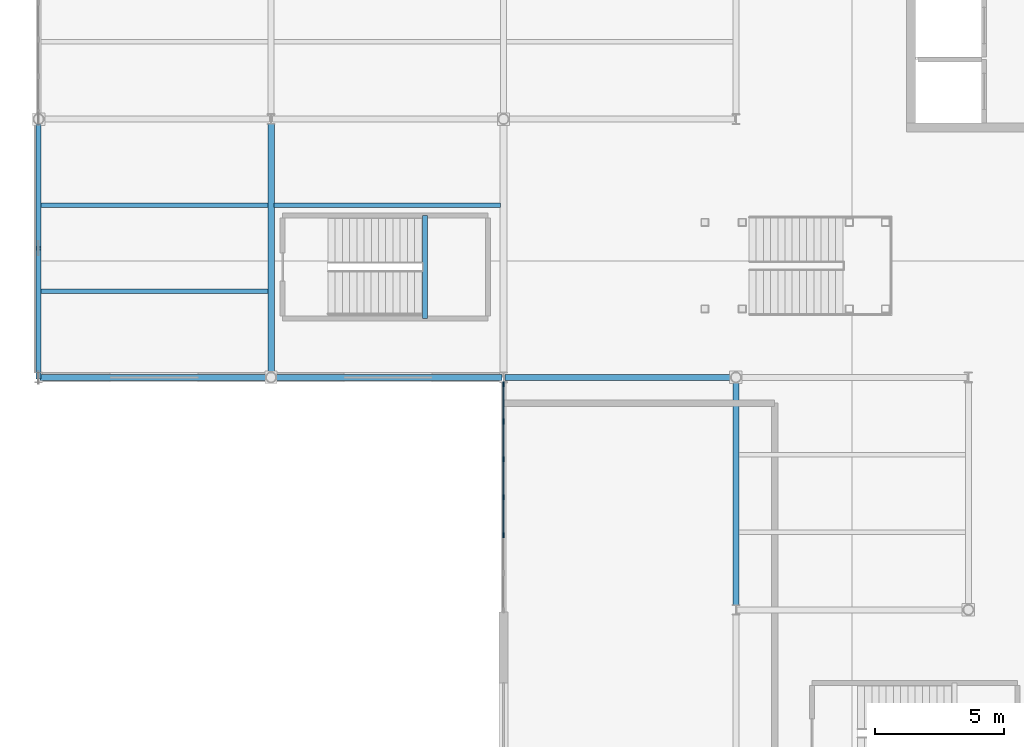
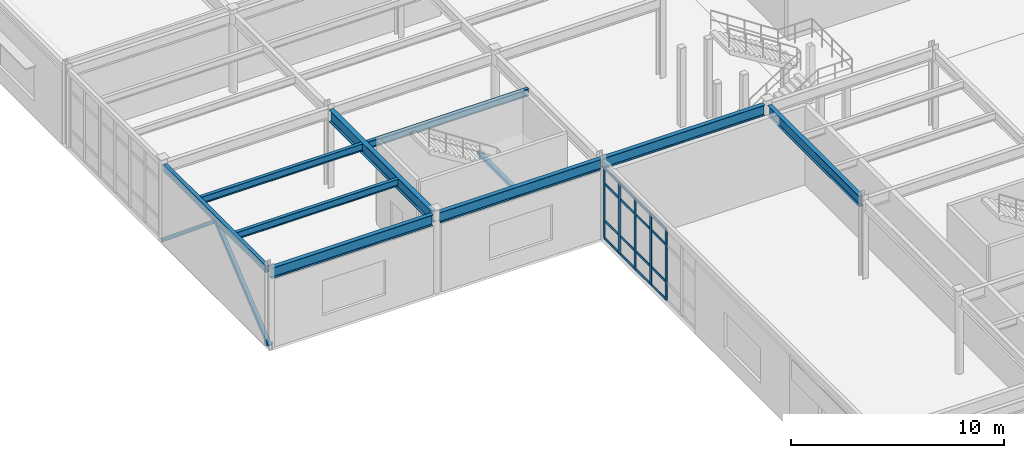
# One storey, part 29 of 84: 23 members, 10 beams, 1 element without a shape of its own.
"""IFC4 building model written with IfcOpenShell, lengths in metres."""

from ifc_helpers import new_model, si_unit, direction, frame, origin, origin_2d, place, context, subcontext, project, spatial, rectangle, hollow_rectangle, i_section, extrude, material, material_profile, profile_set, type_object, element, aggregate, save


model = new_model("IFC4")

# Units and contexts
model_context = context("Model", 3, precision=1e-05, world=origin(), true_north=direction((0.0, 1.0)))
body_context = subcontext(model_context, "Body", "Model", "MODEL_VIEW")
ifc_project = project(units=[si_unit("LENGTHUNIT", "METRE"), si_unit("AREAUNIT", "SQUARE_METRE"), si_unit("VOLUMEUNIT", "CUBIC_METRE"), si_unit("PLANEANGLEUNIT", "RADIAN"), si_unit("MASSUNIT", "GRAM", prefix="KILO")], contexts=[model_context])

# Site, building, storey
site_placement = place(None, origin())
site = spatial("IfcSite", under=ifc_project, at=site_placement, CompositionType="ELEMENT")
building_placement = place(site_placement, origin())
building = spatial("IfcBuilding", under=site, at=building_placement, Name="Glasvene Arena", CompositionType="ELEMENT")
storey_placement = place(building_placement, frame((0.0, 0.0, 10.199951171875)))
storey = spatial("IfcBuildingStorey", under=building, at=storey_placement, Name="L02", CompositionType="ELEMENT", Elevation=10.199951171875)

# Beams
ifc_material_1 = material(Name="Steel S355J2", Category="steel")
ifc_material_profile_1 = material_profile(ifc_material_1, i_section(OverallWidth=0.228271484375, OverallDepth=0.607666015625, WebThickness=0.010986328125, FlangeThickness=0.017333984375, FilletRadius=0.0126953125, at=origin_2d()), Name="UKB 610x229x113")
ifc_profile_set_1 = profile_set([ifc_material_profile_1], Name="Steel S355J2")
beam_type_1 = type_object("IfcBeamType", Name="BM-GIRD-610", PredefinedType="BEAM", material=ifc_profile_set_1)
for number, where, z_axis, x_axis, name in (
    (1, (0.050048828125, 54.0, 4.21630859375), (1.0, 0.0, 0.0), (0.0, 1.0, 0.0), "Primary X girder L02-0807"),
    (2, (9.1982421875, 54.0, 4.21630859375), (1.0, 0.0, 0.0), (0.0, 1.0, 0.0), "Primary X girder L02-0808"),
    (3, (18.050048828125, 54.0, 4.21630859375), (1.0, 0.0, 0.0), (0.0, 1.0, 0.0), "Primary X girder L02-0809"),
):
    element("IfcBeam", number, at=place(storey_placement, frame(where, z_axis=z_axis, x_axis=x_axis)), inside=storey, type_object=beam_type_1, Name=name, PredefinedType="BEAM", context=body_context, shape_type="SweptSolid", body=[
        extrude(i_section(OverallWidth=0.228271484375, OverallDepth=0.607666015625, WebThickness=0.010986328125, FlangeThickness=0.017333984375, FilletRadius=0.0126953125, at=origin_2d()), origin(), (0.0, 0.0, 1.0), 8.751708984375),
    ])
beam_1_placement = place(storey_placement, frame((27.0, 45.195068359375, 4.21630859375), z_axis=(0.0, 1.0, 0.0), x_axis=(-1.0, 0.0, 0.0)))
element("IfcBeam", 4, at=beam_1_placement, inside=storey, type_object=beam_type_1, Name="Primary Y girder L02-0859", PredefinedType="BEAM", context=body_context, shape_type="SweptSolid", body=[
    extrude(i_section(OverallWidth=0.228271484375, OverallDepth=0.607666015625, WebThickness=0.010986328125, FlangeThickness=0.017333984375, FilletRadius=0.0126953125, at=origin_2d()), origin(), (0.0, 0.0, 1.0), 8.606689453125),
])
ifc_material_profile_2 = material_profile(ifc_material_1, i_section(OverallWidth=0.253662109375, OverallDepth=0.68359375, WebThickness=0.012451171875, FlangeThickness=0.01904296875, FilletRadius=0.01513671875, at=origin_2d()), Name="UKB 686x254x140")
ifc_profile_set_2 = profile_set([ifc_material_profile_2], Name="Steel S355J2")
beam_type_2 = type_object("IfcBeamType", Name="BM-GIRD-686", PredefinedType="BEAM", material=ifc_profile_set_2)
beam_2_placement = place(storey_placement, frame((9.0, 54.1982421875, 4.178466796875), z_axis=(0.0, 1.0, 0.0), x_axis=(-1.0, 0.0, 0.0)))
element("IfcBeam", 5, at=beam_2_placement, inside=storey, type_object=beam_type_2, Name="Primary Y girder L02-0842", PredefinedType="BEAM", context=body_context, shape_type="SweptSolid", body=[
    extrude(i_section(OverallWidth=0.253662109375, OverallDepth=0.68359375, WebThickness=0.012451171875, FlangeThickness=0.01904296875, FilletRadius=0.01513671875, at=origin_2d()), origin(), (0.0, 0.0, 1.0), 9.606689453125),
])
ifc_material_profile_3 = material_profile(ifc_material_1, i_section(OverallWidth=0.177978515625, OverallDepth=0.406494140625, WebThickness=0.0078125, FlangeThickness=0.0126953125, FilletRadius=0.01025390625, at=origin_2d()), Name="UKB 406x178x60")
ifc_profile_set_3 = profile_set([ifc_material_profile_3], Name="Steel S355J2")
beam_type_3 = type_object("IfcBeamType", Name="BM-JOIST-406", PredefinedType="JOIST", material=ifc_profile_set_3)
for number, where, z_axis, x_axis, name in (
    (6, (0.095947265625, 57.333251953125, 4.31689453125), (1.0, 0.0, 0.0), (0.0, 1.0, 0.0), "Composite floor joist L02-0887"),
    (7, (0.095947265625, 60.666748046875, 4.31689453125), (1.0, 0.0, 0.0), (0.0, 1.0, 0.0), "Composite floor joist L02-0888"),
):
    element("IfcBeam", number, at=place(storey_placement, frame(where, z_axis=z_axis, x_axis=x_axis)), inside=storey, type_object=beam_type_3, Name=name, PredefinedType="JOIST", context=body_context, shape_type="SweptSolid", body=[
        extrude(i_section(OverallWidth=0.177978515625, OverallDepth=0.406494140625, WebThickness=0.0078125, FlangeThickness=0.0126953125, FilletRadius=0.01025390625, at=origin_2d()), origin(), (0.0, 0.0, 1.0), 8.78125),
    ])
beam_3_placement = place(storey_placement, frame((9.122802734375, 60.666748046875, 4.31689453125), z_axis=(1.0, 0.0, 0.0), x_axis=(0.0, 1.0, 0.0)))
element("IfcBeam", 8, at=beam_3_placement, inside=storey, type_object=beam_type_3, Name="Composite floor joist L02-0897", PredefinedType="JOIST", context=body_context, shape_type="SweptSolid", body=[
    extrude(i_section(OverallWidth=0.177978515625, OverallDepth=0.406494140625, WebThickness=0.0078125, FlangeThickness=0.0126953125, FilletRadius=0.01025390625, at=origin_2d()), origin(), (0.0, 0.0, 1.0), 8.75439453125),
])
ifc_material_profile_4 = material_profile(ifc_material_1, hollow_rectangle(XDim=0.199951171875, YDim=0.199951171875, WallThickness=0.010009765625, at=origin_2d()), Name="SHS 200x200x10.0")
ifc_profile_set_4 = profile_set([ifc_material_profile_4], Name="Steel S355J2")
beam_type_4 = type_object("IfcBeamType", Name="BM-LINTEL-200", PredefinedType="LINTEL", material=ifc_profile_set_4)
beam_4_placement = place(storey_placement, frame((14.9599609375, 56.280029296875, 2.080078125), z_axis=(0.0, 1.0, 0.0), x_axis=(-1.0, 0.0, 0.0)))
element("IfcBeam", 9, at=beam_4_placement, inside=storey, type_object=beam_type_4, Name="Stair half-landing support beam ST-13-L02", PredefinedType="LINTEL", context=body_context, shape_type="SweptSolid", body=[
    extrude(hollow_rectangle(XDim=0.199951171875, YDim=0.199951171875, WallThickness=0.010009765625, at=origin_2d()), origin(), (0.0, 0.0, 1.0), 3.989990234375),
])
ifc_material_profile_5 = material_profile(ifc_material_1, hollow_rectangle(XDim=0.199951171875, YDim=0.39990234375, WallThickness=0.01611328125, at=origin_2d()), Name="RHS 400x200x16.0")
ifc_profile_set_5 = profile_set([ifc_material_profile_5], Name="Steel S355J2")
beam_type_5 = type_object("IfcBeamType", Name="BM-SPAND-400", PredefinedType="SPANDREL", material=ifc_profile_set_5)
beam_5_placement = place(storey_placement, frame((0.0, 54.195068359375, 4.320068359375), z_axis=(0.0, 1.0, 0.0), x_axis=(-1.0, 0.0, 0.0)))
element("IfcBeam", 10, at=beam_5_placement, inside=storey, type_object=beam_type_5, Name="Primary Y girder L02-0832", PredefinedType="SPANDREL", context=body_context, shape_type="SweptSolid", body=[
    extrude(hollow_rectangle(XDim=0.199951171875, YDim=0.39990234375, WallThickness=0.01611328125, at=origin_2d()), origin(), (0.0, 0.0, 1.0), 9.606689453125),
])

# Curtain wall, members
ifc_material_2 = material(Name="Low-emissivity laminated double glazing", Category="glass")
curtain_wall_type = type_object("IfcCurtainWallType", Name="CW-FAC-L02-880x406", PredefinedType="USERDEFINED", material=ifc_material_2)
curtain_wall_placement = place(storey_placement, frame((18.0, 44.9560546875, 0.0)))
curtain_wall = element("IfcCurtainWall", 11, at=curtain_wall_placement, inside=storey, type_object=curtain_wall_type, Name="Unitised curtain wall CW-F-L02-180-180-494-82", ObjectType="CURTAIN WALL", PredefinedType="USERDEFINED")
ifc_material_3 = material(Name="Anodised architectural aluminium", Category="aluminium")
ifc_material_profile_6 = material_profile(ifc_material_3, rectangle(XDim=0.050048828125, YDim=0.199951171875, at=origin_2d()), Name="ALU MULLION 50x200")
ifc_profile_set_6 = profile_set([ifc_material_profile_6], Name="Anodised architectural aluminium")
member_type_1 = type_object("IfcMemberType", Name="CW-MUL-180", PredefinedType="MULLION", material=ifc_profile_set_6)
member_1_placement = place(storey_placement, frame((18.0, 47.889892578125, 0.06005859375), z_axis=(0.0, 0.0, 1.0), x_axis=(-1.0, 0.0, 0.0)))
member_1 = element("IfcMember", 12, at=member_1_placement, type_object=member_type_1, Name="CW-031 mullion 3", PredefinedType="MULLION", context=body_context, shape_type="SweptSolid", body=[
    extrude(rectangle(XDim=0.050048828125, YDim=0.199951171875, at=origin_2d()), origin(), (0.0, 0.0, 1.0), 4.054931640625),
])
member_2_placement = place(storey_placement, frame((18.0, 49.35693359375, 0.06005859375), z_axis=(0.0, 0.0, 1.0), x_axis=(-1.0, 0.0, 0.0)))
member_2 = element("IfcMember", 13, at=member_2_placement, type_object=member_type_1, Name="CW-031 mullion 4", PredefinedType="MULLION", context=body_context, shape_type="SweptSolid", body=[
    extrude(rectangle(XDim=0.050048828125, YDim=0.199951171875, at=origin_2d()), origin(), (0.0, 0.0, 1.0), 4.054931640625),
])
member_3_placement = place(storey_placement, frame((18.0, 50.823974609375, 0.06005859375), z_axis=(0.0, 0.0, 1.0), x_axis=(-1.0, 0.0, 0.0)))
member_3 = element("IfcMember", 14, at=member_3_placement, type_object=member_type_1, Name="CW-031 mullion 5", PredefinedType="MULLION", context=body_context, shape_type="SweptSolid", body=[
    extrude(rectangle(XDim=0.050048828125, YDim=0.199951171875, at=origin_2d()), origin(), (0.0, 0.0, 1.0), 4.054931640625),
])
member_4_placement = place(storey_placement, frame((18.0, 52.291015625, 0.06005859375), z_axis=(0.0, 0.0, 1.0), x_axis=(-1.0, 0.0, 0.0)))
member_4 = element("IfcMember", 15, at=member_4_placement, type_object=member_type_1, Name="CW-031 mullion 6", PredefinedType="MULLION", context=body_context, shape_type="SweptSolid", body=[
    extrude(rectangle(XDim=0.050048828125, YDim=0.199951171875, at=origin_2d()), origin(), (0.0, 0.0, 1.0), 4.054931640625),
])
member_5_placement = place(storey_placement, frame((18.0, 53.73291015625, 0.06005859375), z_axis=(0.0, 0.0, 1.0), x_axis=(-1.0, 0.0, 0.0)))
member_5 = element("IfcMember", 16, at=member_5_placement, type_object=member_type_1, Name="CW-031 mullion 7", PredefinedType="MULLION", context=body_context, shape_type="SweptSolid", body=[
    extrude(rectangle(XDim=0.050048828125, YDim=0.199951171875, at=origin_2d()), origin(), (0.0, 0.0, 1.0), 4.054931640625),
])
ifc_material_profile_7 = material_profile(ifc_material_3, rectangle(XDim=0.050048828125, YDim=0.14990234375, at=origin_2d()), Name="ALU TRANSOM 50x150")
ifc_profile_set_7 = profile_set([ifc_material_profile_7], Name="Anodised architectural aluminium")
member_type_2 = type_object("IfcMemberType", Name="CW-TRN-150", PredefinedType="USERDEFINED", material=ifc_profile_set_7)
member_6_placement = place(storey_placement, frame((18.0, 47.9150390625, 0.0849609375), z_axis=(0.0, 1.0, 0.0), x_axis=(-1.0, 0.0, 0.0)))
member_6 = element("IfcMember", 17, at=member_6_placement, type_object=member_type_2, Name="CW-031 transom 3.1", ObjectType="TRANSOM", PredefinedType="USERDEFINED", context=body_context, shape_type="SweptSolid", body=[
    extrude(rectangle(XDim=0.050048828125, YDim=0.14990234375, at=origin_2d()), origin(), (0.0, 0.0, 1.0), 1.4169921875),
])
member_7_placement = place(storey_placement, frame((18.0, 47.9150390625, 1.10009765625), z_axis=(0.0, 1.0, 0.0), x_axis=(-1.0, 0.0, 0.0)))
member_7 = element("IfcMember", 18, at=member_7_placement, type_object=member_type_2, Name="CW-031 transom 3.2", ObjectType="TRANSOM", PredefinedType="USERDEFINED", context=body_context, shape_type="SweptSolid", body=[
    extrude(rectangle(XDim=0.050048828125, YDim=0.14990234375, at=origin_2d()), origin(), (0.0, 0.0, 1.0), 1.4169921875),
])
member_8_placement = place(storey_placement, frame((18.0, 47.9150390625, 3.215087890625), z_axis=(0.0, 1.0, 0.0), x_axis=(-1.0, 0.0, 0.0)))
member_8 = element("IfcMember", 19, at=member_8_placement, type_object=member_type_2, Name="CW-031 transom 3.3", ObjectType="TRANSOM", PredefinedType="USERDEFINED", context=body_context, shape_type="SweptSolid", body=[
    extrude(rectangle(XDim=0.050048828125, YDim=0.14990234375, at=origin_2d()), origin(), (0.0, 0.0, 1.0), 1.4169921875),
])
member_9_placement = place(storey_placement, frame((18.0, 47.9150390625, 4.090087890625), z_axis=(0.0, 1.0, 0.0), x_axis=(-1.0, 0.0, 0.0)))
member_9 = element("IfcMember", 20, at=member_9_placement, type_object=member_type_2, Name="CW-031 transom 3.4", ObjectType="TRANSOM", PredefinedType="USERDEFINED", context=body_context, shape_type="SweptSolid", body=[
    extrude(rectangle(XDim=0.050048828125, YDim=0.14990234375, at=origin_2d()), origin(), (0.0, 0.0, 1.0), 1.4169921875),
])
member_10_placement = place(storey_placement, frame((18.0, 49.382080078125, 0.0849609375), z_axis=(0.0, 1.0, 0.0), x_axis=(-1.0, 0.0, 0.0)))
member_10 = element("IfcMember", 21, at=member_10_placement, type_object=member_type_2, Name="CW-031 transom 4.1", ObjectType="TRANSOM", PredefinedType="USERDEFINED", context=body_context, shape_type="SweptSolid", body=[
    extrude(rectangle(XDim=0.050048828125, YDim=0.14990234375, at=origin_2d()), origin(), (0.0, 0.0, 1.0), 1.4169921875),
])
member_11_placement = place(storey_placement, frame((18.0, 49.382080078125, 1.10009765625), z_axis=(0.0, 1.0, 0.0), x_axis=(-1.0, 0.0, 0.0)))
member_11 = element("IfcMember", 22, at=member_11_placement, type_object=member_type_2, Name="CW-031 transom 4.2", ObjectType="TRANSOM", PredefinedType="USERDEFINED", context=body_context, shape_type="SweptSolid", body=[
    extrude(rectangle(XDim=0.050048828125, YDim=0.14990234375, at=origin_2d()), origin(), (0.0, 0.0, 1.0), 1.4169921875),
])
member_12_placement = place(storey_placement, frame((18.0, 49.382080078125, 3.215087890625), z_axis=(0.0, 1.0, 0.0), x_axis=(-1.0, 0.0, 0.0)))
member_12 = element("IfcMember", 23, at=member_12_placement, type_object=member_type_2, Name="CW-031 transom 4.3", ObjectType="TRANSOM", PredefinedType="USERDEFINED", context=body_context, shape_type="SweptSolid", body=[
    extrude(rectangle(XDim=0.050048828125, YDim=0.14990234375, at=origin_2d()), origin(), (0.0, 0.0, 1.0), 1.4169921875),
])
member_13_placement = place(storey_placement, frame((18.0, 49.382080078125, 4.090087890625), z_axis=(0.0, 1.0, 0.0), x_axis=(-1.0, 0.0, 0.0)))
member_13 = element("IfcMember", 24, at=member_13_placement, type_object=member_type_2, Name="CW-031 transom 4.4", ObjectType="TRANSOM", PredefinedType="USERDEFINED", context=body_context, shape_type="SweptSolid", body=[
    extrude(rectangle(XDim=0.050048828125, YDim=0.14990234375, at=origin_2d()), origin(), (0.0, 0.0, 1.0), 1.4169921875),
])
member_14_placement = place(storey_placement, frame((18.0, 50.84912109375, 0.0849609375), z_axis=(0.0, 1.0, 0.0), x_axis=(-1.0, 0.0, 0.0)))
member_14 = element("IfcMember", 25, at=member_14_placement, type_object=member_type_2, Name="CW-031 transom 5.1", ObjectType="TRANSOM", PredefinedType="USERDEFINED", context=body_context, shape_type="SweptSolid", body=[
    extrude(rectangle(XDim=0.050048828125, YDim=0.14990234375, at=origin_2d()), origin(), (0.0, 0.0, 1.0), 1.4169921875),
])
member_15_placement = place(storey_placement, frame((18.0, 50.84912109375, 1.10009765625), z_axis=(0.0, 1.0, 0.0), x_axis=(-1.0, 0.0, 0.0)))
member_15 = element("IfcMember", 26, at=member_15_placement, type_object=member_type_2, Name="CW-031 transom 5.2", ObjectType="TRANSOM", PredefinedType="USERDEFINED", context=body_context, shape_type="SweptSolid", body=[
    extrude(rectangle(XDim=0.050048828125, YDim=0.14990234375, at=origin_2d()), origin(), (0.0, 0.0, 1.0), 1.4169921875),
])
member_16_placement = place(storey_placement, frame((18.0, 50.84912109375, 3.215087890625), z_axis=(0.0, 1.0, 0.0), x_axis=(-1.0, 0.0, 0.0)))
member_16 = element("IfcMember", 27, at=member_16_placement, type_object=member_type_2, Name="CW-031 transom 5.3", ObjectType="TRANSOM", PredefinedType="USERDEFINED", context=body_context, shape_type="SweptSolid", body=[
    extrude(rectangle(XDim=0.050048828125, YDim=0.14990234375, at=origin_2d()), origin(), (0.0, 0.0, 1.0), 1.4169921875),
])
member_17_placement = place(storey_placement, frame((18.0, 50.84912109375, 4.090087890625), z_axis=(0.0, 1.0, 0.0), x_axis=(-1.0, 0.0, 0.0)))
member_17 = element("IfcMember", 28, at=member_17_placement, type_object=member_type_2, Name="CW-031 transom 5.4", ObjectType="TRANSOM", PredefinedType="USERDEFINED", context=body_context, shape_type="SweptSolid", body=[
    extrude(rectangle(XDim=0.050048828125, YDim=0.14990234375, at=origin_2d()), origin(), (0.0, 0.0, 1.0), 1.4169921875),
])
member_18_placement = place(storey_placement, frame((18.0, 52.31591796875, 0.0849609375), z_axis=(0.0, 1.0, 0.0), x_axis=(-1.0, 0.0, 0.0)))
member_18 = element("IfcMember", 29, at=member_18_placement, type_object=member_type_2, Name="CW-031 transom 6.1", ObjectType="TRANSOM", PredefinedType="USERDEFINED", context=body_context, shape_type="SweptSolid", body=[
    extrude(rectangle(XDim=0.050048828125, YDim=0.14990234375, at=origin_2d()), origin(), (0.0, 0.0, 1.0), 1.39208984375),
])
member_19_placement = place(storey_placement, frame((18.0, 52.31591796875, 1.10009765625), z_axis=(0.0, 1.0, 0.0), x_axis=(-1.0, 0.0, 0.0)))
member_19 = element("IfcMember", 30, at=member_19_placement, type_object=member_type_2, Name="CW-031 transom 6.2", ObjectType="TRANSOM", PredefinedType="USERDEFINED", context=body_context, shape_type="SweptSolid", body=[
    extrude(rectangle(XDim=0.050048828125, YDim=0.14990234375, at=origin_2d()), origin(), (0.0, 0.0, 1.0), 1.39208984375),
])
member_20_placement = place(storey_placement, frame((18.0, 52.31591796875, 3.215087890625), z_axis=(0.0, 1.0, 0.0), x_axis=(-1.0, 0.0, 0.0)))
member_20 = element("IfcMember", 31, at=member_20_placement, type_object=member_type_2, Name="CW-031 transom 6.3", ObjectType="TRANSOM", PredefinedType="USERDEFINED", context=body_context, shape_type="SweptSolid", body=[
    extrude(rectangle(XDim=0.050048828125, YDim=0.14990234375, at=origin_2d()), origin(), (0.0, 0.0, 1.0), 1.39208984375),
])
member_21_placement = place(storey_placement, frame((18.0, 52.31591796875, 4.090087890625), z_axis=(0.0, 1.0, 0.0), x_axis=(-1.0, 0.0, 0.0)))
member_21 = element("IfcMember", 32, at=member_21_placement, type_object=member_type_2, Name="CW-031 transom 6.4", ObjectType="TRANSOM", PredefinedType="USERDEFINED", context=body_context, shape_type="SweptSolid", body=[
    extrude(rectangle(XDim=0.050048828125, YDim=0.14990234375, at=origin_2d()), origin(), (0.0, 0.0, 1.0), 1.39208984375),
])
aggregate(curtain_wall, [member_1, member_2, member_3, member_4, member_5, member_6, member_7, member_8, member_9, member_10, member_11, member_12, member_13, member_14, member_15, member_16, member_17, member_18, member_19, member_20, member_21])

# Members
ifc_material_profile_8 = material_profile(ifc_material_1, hollow_rectangle(XDim=0.199951171875, YDim=0.199951171875, WallThickness=0.010009765625, at=origin_2d()), Name="SHS 200x200x10.0")
ifc_profile_set_8 = profile_set([ifc_material_profile_8], Name="Steel S355J2")
member_type_3 = type_object("IfcMemberType", Name="MB-BRACE-SHS200", PredefinedType="BRACE", material=ifc_profile_set_8)
for number, where, z_axis, x_axis, name in (
    (33, (0.0, 54.0, 0.050048828125), (0.0, 0.77174310918, 0.635934409694), (-1.0, 0.0, 0.0), "Perimeter lateral chevron brace L02-013-A"),
    (34, (0.0, 64.0, 0.050048828125), (0.0, -0.77174310918, 0.635934409694), (1.0, 0.0, 0.0), "Perimeter lateral chevron brace L02-014-B"),
):
    element("IfcMember", number, at=place(storey_placement, frame(where, z_axis=z_axis, x_axis=x_axis)), inside=storey, type_object=member_type_3, Name=name, PredefinedType="BRACE", context=body_context, shape_type="SweptSolid", body=[
        extrude(hollow_rectangle(XDim=0.199951171875, YDim=0.199951171875, WallThickness=0.010009765625, at=origin_2d()), origin(), (0.0, 0.0, 1.0), 6.478759765625),
    ])

save(model, "model.ifc")
